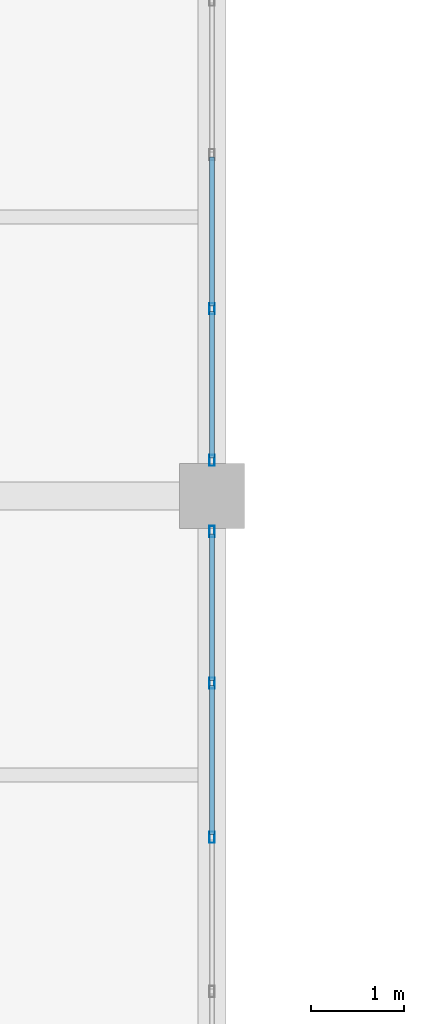
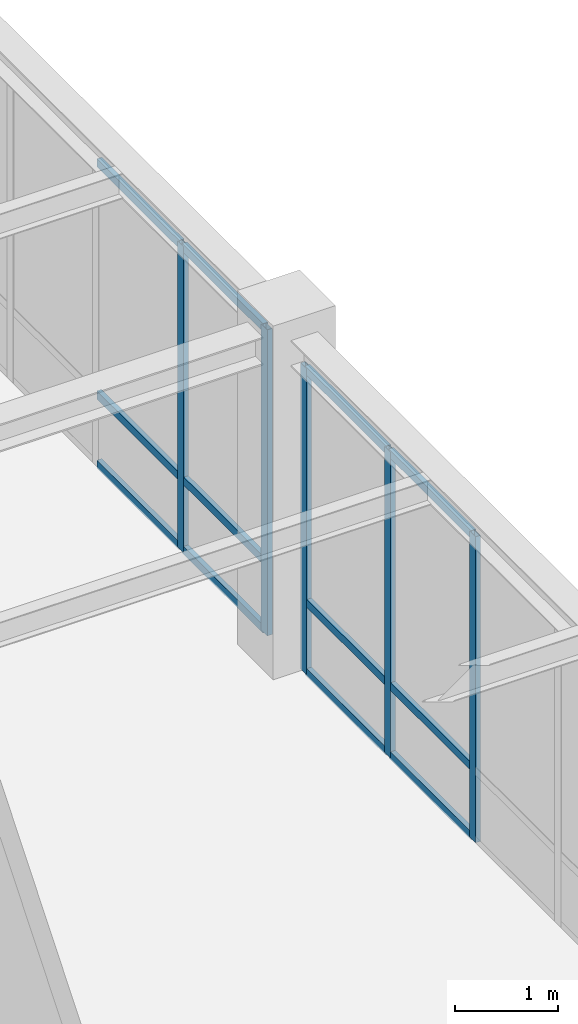
# One storey, part 41 of 108: 17 members, 2 elements without a shape of their own.
"""IFC4 building model written with IfcOpenShell, lengths in metres."""

from ifc_helpers import new_model, si_unit, direction, frame, origin, origin_2d, place, context, subcontext, project, spatial, hollow_rectangle, extrude, material, material_profile, profile_set, type_object, element, aggregate, save


model = new_model("IFC4")

# Units and contexts
model_context = context("Model", 3, precision=1e-05, world=origin(), true_north=direction((0.0, 1.0)))
body_context = subcontext(model_context, "Body", "Model", "MODEL_VIEW")
ifc_project = project(units=[si_unit("LENGTHUNIT", "METRE"), si_unit("AREAUNIT", "SQUARE_METRE"), si_unit("VOLUMEUNIT", "CUBIC_METRE"), si_unit("PLANEANGLEUNIT", "RADIAN"), si_unit("MASSUNIT", "GRAM", prefix="KILO")], contexts=[model_context])

# Site, building, storey
site_placement = place(None, origin())
site = spatial("IfcSite", under=ifc_project, at=site_placement, CompositionType="ELEMENT")
building_placement = place(site_placement, origin())
building = spatial("IfcBuilding", under=site, at=building_placement, Name="Lykobir Media Centre", CompositionType="ELEMENT")
storey_placement = place(building_placement, frame((0.0, 0.0, 15.0)))
storey = spatial("IfcBuildingStorey", under=building, at=storey_placement, Name="L03", CompositionType="ELEMENT", Elevation=15.0)

# Curtain wall, members
ifc_material = material(Name="Anodized Aluminium AW-6060", Category="aluminium")
curtain_wall_type = type_object("IfcCurtainWallType", Name="CW-COURT-B", PredefinedType="NOTDEFINED", material=ifc_material)
curtain_wall_1_placement = place(storey_placement, origin())
curtain_wall_1 = element("IfcCurtainWall", 1, at=curtain_wall_1_placement, inside=storey, type_object=curtain_wall_type, Name="Curtain wall CW2-L03-0116", PredefinedType="NOTDEFINED")
ifc_material_profile_1 = material_profile(ifc_material, hollow_rectangle(XDim=0.054931640625, YDim=0.1201171875, WallThickness=0.003173828125, at=origin_2d()), Name="ALU MULLION 55x120")
ifc_profile_set_1 = profile_set([ifc_material_profile_1], Name="Anodized Aluminium AW-6060")
member_type_1 = type_object("IfcMemberType", Name="CWM-120", PredefinedType="MULLION", material=ifc_profile_set_1)
member_1_placement = place(storey_placement, frame((36.0, 35.617431640625, 0.0), z_axis=(0.0, 0.0, 1.0), x_axis=(1.0, 0.0, 0.0)))
member_1 = element("IfcMember", 2, at=member_1_placement, type_object=member_type_1, Name="CW2-L03-0116 mullion 1", PredefinedType="MULLION", context=body_context, shape_type="SweptSolid", body=[
    extrude(hollow_rectangle(XDim=0.054931640625, YDim=0.1201171875, WallThickness=0.003173828125, at=origin_2d()), origin(), (0.0, 0.0, 1.0), 3.635009765625),
])
member_2_placement = place(storey_placement, frame((36.0, 33.987060546875, 0.0), z_axis=(0.0, 0.0, 1.0), x_axis=(1.0, 0.0, 0.0)))
member_2 = element("IfcMember", 3, at=member_2_placement, type_object=member_type_1, Name="CW2-L03-0116 mullion 2", PredefinedType="MULLION", context=body_context, shape_type="SweptSolid", body=[
    extrude(hollow_rectangle(XDim=0.054931640625, YDim=0.1201171875, WallThickness=0.003173828125, at=origin_2d()), origin(), (0.0, 0.0, 1.0), 3.635009765625),
])
member_3_placement = place(storey_placement, frame((36.0, 32.3291015625, 0.0), z_axis=(0.0, 0.0, 1.0), x_axis=(1.0, 0.0, 0.0)))
member_3 = element("IfcMember", 4, at=member_3_placement, type_object=member_type_1, Name="CW2-L03-0116 mullion 3", PredefinedType="MULLION", context=body_context, shape_type="SweptSolid", body=[
    extrude(hollow_rectangle(XDim=0.054931640625, YDim=0.1201171875, WallThickness=0.003173828125, at=origin_2d()), origin(), (0.0, 0.0, 1.0), 3.635009765625),
])

curtain_wall_2_placement = place(storey_placement, origin())
curtain_wall_2 = element("IfcCurtainWall", 5, at=curtain_wall_2_placement, inside=storey, type_object=curtain_wall_type, Name="Curtain wall CW2-L03-0117", PredefinedType="NOTDEFINED")
member_4_placement = place(storey_placement, frame((36.0, 38.012939453125, 0.0), z_axis=(0.0, 0.0, 1.0), x_axis=(1.0, 0.0, 0.0)))
member_4 = element("IfcMember", 6, at=member_4_placement, type_object=member_type_1, Name="CW2-L03-0117 mullion 5", PredefinedType="MULLION", context=body_context, shape_type="SweptSolid", body=[
    extrude(hollow_rectangle(XDim=0.054931640625, YDim=0.1201171875, WallThickness=0.003173828125, at=origin_2d()), origin(), (0.0, 0.0, 1.0), 3.635009765625),
])
member_5_placement = place(storey_placement, frame((36.0, 36.382568359375, 0.0), z_axis=(0.0, 0.0, 1.0), x_axis=(1.0, 0.0, 0.0)))
member_5 = element("IfcMember", 7, at=member_5_placement, type_object=member_type_1, Name="CW2-L03-0117 mullion 6", PredefinedType="MULLION", context=body_context, shape_type="SweptSolid", body=[
    extrude(hollow_rectangle(XDim=0.054931640625, YDim=0.1201171875, WallThickness=0.003173828125, at=origin_2d()), origin(), (0.0, 0.0, 1.0), 3.635009765625),
])

# Member
ifc_material_profile_2 = material_profile(ifc_material, hollow_rectangle(XDim=0.054931640625, YDim=0.094970703125, WallThickness=0.0029296875, at=origin_2d()), Name="ALU TRANSOM 55x95")
ifc_profile_set_2 = profile_set([ifc_material_profile_2], Name="Anodized Aluminium AW-6060")
member_type_2 = type_object("IfcMemberType", Name="CWT-095", PredefinedType="USERDEFINED", material=ifc_profile_set_2)
member_6_placement = place(storey_placement, frame((36.0, 35.590087890625, 0.027587890625), z_axis=(0.0, -1.0, 0.0), x_axis=(1.0, 0.0, 0.0)))
member_6 = element("IfcMember", 8, at=member_6_placement, type_object=member_type_2, Name="CW2-L03-0116 transom 1.1", ObjectType="TRANSOM", PredefinedType="USERDEFINED", context=body_context, shape_type="SweptSolid", body=[
    extrude(hollow_rectangle(XDim=0.054931640625, YDim=0.094970703125, WallThickness=0.0029296875, at=origin_2d()), origin(), (0.0, 0.0, 1.0), 1.57568359375),
])

member_7_placement = place(storey_placement, frame((36.0, 35.590087890625, 0.85009765625), z_axis=(0.0, -1.0, 0.0), x_axis=(1.0, 0.0, 0.0)))
member_7 = element("IfcMember", 9, at=member_7_placement, type_object=member_type_2, Name="CW2-L03-0116 transom 1.2", ObjectType="TRANSOM", PredefinedType="USERDEFINED", context=body_context, shape_type="SweptSolid", body=[
    extrude(hollow_rectangle(XDim=0.054931640625, YDim=0.094970703125, WallThickness=0.0029296875, at=origin_2d()), origin(), (0.0, 0.0, 1.0), 1.57568359375),
])

member_8_placement = place(storey_placement, frame((36.0, 35.590087890625, 3.607421875), z_axis=(0.0, -1.0, 0.0), x_axis=(1.0, 0.0, 0.0)))
member_8 = element("IfcMember", 10, at=member_8_placement, type_object=member_type_2, Name="CW2-L03-0116 transom 1.3", ObjectType="TRANSOM", PredefinedType="USERDEFINED", context=body_context, shape_type="SweptSolid", body=[
    extrude(hollow_rectangle(XDim=0.054931640625, YDim=0.094970703125, WallThickness=0.0029296875, at=origin_2d()), origin(), (0.0, 0.0, 1.0), 1.57568359375),
])

member_9_placement = place(storey_placement, frame((36.0, 33.95947265625, 0.027587890625), z_axis=(0.0, -1.0, 0.0), x_axis=(1.0, 0.0, 0.0)))
member_9 = element("IfcMember", 11, at=member_9_placement, type_object=member_type_2, Name="CW2-L03-0116 transom 2.1", ObjectType="TRANSOM", PredefinedType="USERDEFINED", context=body_context, shape_type="SweptSolid", body=[
    extrude(hollow_rectangle(XDim=0.054931640625, YDim=0.094970703125, WallThickness=0.0029296875, at=origin_2d()), origin(), (0.0, 0.0, 1.0), 1.60302734375),
])

member_10_placement = place(storey_placement, frame((36.0, 33.95947265625, 0.85009765625), z_axis=(0.0, -1.0, 0.0), x_axis=(1.0, 0.0, 0.0)))
member_10 = element("IfcMember", 12, at=member_10_placement, type_object=member_type_2, Name="CW2-L03-0116 transom 2.2", ObjectType="TRANSOM", PredefinedType="USERDEFINED", context=body_context, shape_type="SweptSolid", body=[
    extrude(hollow_rectangle(XDim=0.054931640625, YDim=0.094970703125, WallThickness=0.0029296875, at=origin_2d()), origin(), (0.0, 0.0, 1.0), 1.60302734375),
])

member_11_placement = place(storey_placement, frame((36.0, 33.95947265625, 3.607421875), z_axis=(0.0, -1.0, 0.0), x_axis=(1.0, 0.0, 0.0)))
member_11 = element("IfcMember", 13, at=member_11_placement, type_object=member_type_2, Name="CW2-L03-0116 transom 2.3", ObjectType="TRANSOM", PredefinedType="USERDEFINED", context=body_context, shape_type="SweptSolid", body=[
    extrude(hollow_rectangle(XDim=0.054931640625, YDim=0.094970703125, WallThickness=0.0029296875, at=origin_2d()), origin(), (0.0, 0.0, 1.0), 1.60302734375),
])

aggregate(curtain_wall_1, [member_1, member_2, member_3, member_6, member_7, member_8, member_9, member_10, member_11])

member_12_placement = place(storey_placement, frame((36.0, 39.6435546875, 0.027587890625), z_axis=(0.0, -1.0, 0.0), x_axis=(1.0, 0.0, 0.0)))
member_12 = element("IfcMember", 14, at=member_12_placement, type_object=member_type_2, Name="CW2-L03-0117 transom 4.1", ObjectType="TRANSOM", PredefinedType="USERDEFINED", context=body_context, shape_type="SweptSolid", body=[
    extrude(hollow_rectangle(XDim=0.054931640625, YDim=0.094970703125, WallThickness=0.0029296875, at=origin_2d()), origin(), (0.0, 0.0, 1.0), 1.60302734375),
])

member_13_placement = place(storey_placement, frame((36.0, 39.6435546875, 0.85009765625), z_axis=(0.0, -1.0, 0.0), x_axis=(1.0, 0.0, 0.0)))
member_13 = element("IfcMember", 15, at=member_13_placement, type_object=member_type_2, Name="CW2-L03-0117 transom 4.2", ObjectType="TRANSOM", PredefinedType="USERDEFINED", context=body_context, shape_type="SweptSolid", body=[
    extrude(hollow_rectangle(XDim=0.054931640625, YDim=0.094970703125, WallThickness=0.0029296875, at=origin_2d()), origin(), (0.0, 0.0, 1.0), 1.60302734375),
])

member_14_placement = place(storey_placement, frame((36.0, 39.6435546875, 3.607421875), z_axis=(0.0, -1.0, 0.0), x_axis=(1.0, 0.0, 0.0)))
member_14 = element("IfcMember", 16, at=member_14_placement, type_object=member_type_2, Name="CW2-L03-0117 transom 4.3", ObjectType="TRANSOM", PredefinedType="USERDEFINED", context=body_context, shape_type="SweptSolid", body=[
    extrude(hollow_rectangle(XDim=0.054931640625, YDim=0.094970703125, WallThickness=0.0029296875, at=origin_2d()), origin(), (0.0, 0.0, 1.0), 1.60302734375),
])

member_15_placement = place(storey_placement, frame((36.0, 37.985595703125, 0.027587890625), z_axis=(0.0, -1.0, 0.0), x_axis=(1.0, 0.0, 0.0)))
member_15 = element("IfcMember", 17, at=member_15_placement, type_object=member_type_2, Name="CW2-L03-0117 transom 5.1", ObjectType="TRANSOM", PredefinedType="USERDEFINED", context=body_context, shape_type="SweptSolid", body=[
    extrude(hollow_rectangle(XDim=0.054931640625, YDim=0.094970703125, WallThickness=0.0029296875, at=origin_2d()), origin(), (0.0, 0.0, 1.0), 1.57568359375),
])

member_16_placement = place(storey_placement, frame((36.0, 37.985595703125, 0.85009765625), z_axis=(0.0, -1.0, 0.0), x_axis=(1.0, 0.0, 0.0)))
member_16 = element("IfcMember", 18, at=member_16_placement, type_object=member_type_2, Name="CW2-L03-0117 transom 5.2", ObjectType="TRANSOM", PredefinedType="USERDEFINED", context=body_context, shape_type="SweptSolid", body=[
    extrude(hollow_rectangle(XDim=0.054931640625, YDim=0.094970703125, WallThickness=0.0029296875, at=origin_2d()), origin(), (0.0, 0.0, 1.0), 1.57568359375),
])

member_17_placement = place(storey_placement, frame((36.0, 37.985595703125, 3.607421875), z_axis=(0.0, -1.0, 0.0), x_axis=(1.0, 0.0, 0.0)))
member_17 = element("IfcMember", 19, at=member_17_placement, type_object=member_type_2, Name="CW2-L03-0117 transom 5.3", ObjectType="TRANSOM", PredefinedType="USERDEFINED", context=body_context, shape_type="SweptSolid", body=[
    extrude(hollow_rectangle(XDim=0.054931640625, YDim=0.094970703125, WallThickness=0.0029296875, at=origin_2d()), origin(), (0.0, 0.0, 1.0), 1.57568359375),
])

aggregate(curtain_wall_2, [member_4, member_5, member_12, member_13, member_14, member_15, member_16, member_17])

save(model, "model.ifc")
